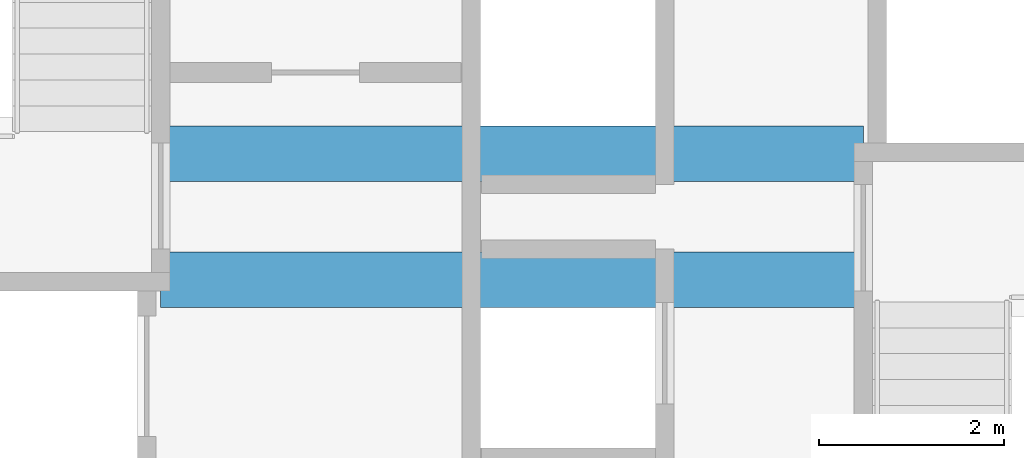
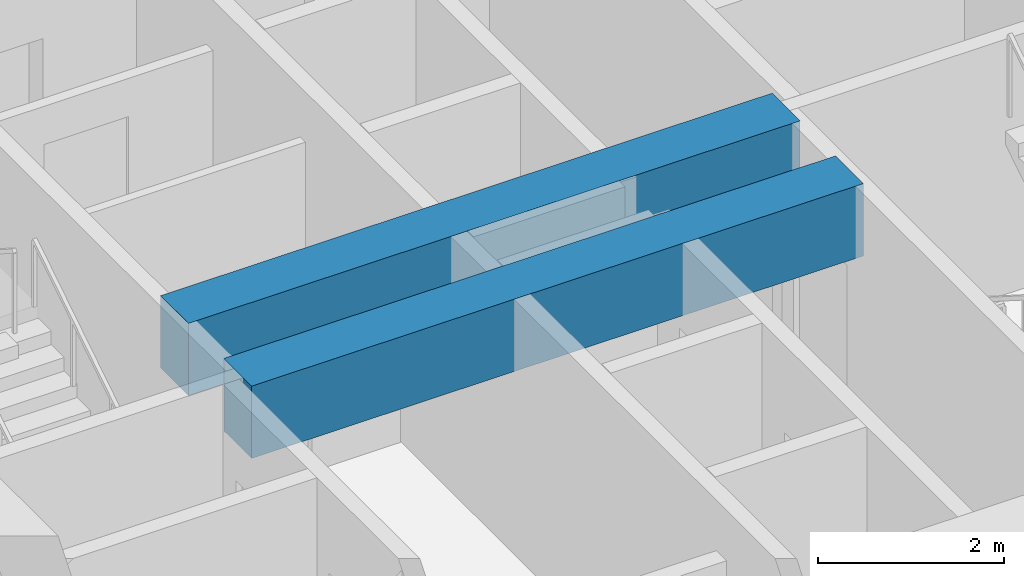
# One storey, part 8 of 48: 2 beams.
"""IFC4 building model written with IfcOpenShell, lengths in metres."""

from ifc_helpers import new_model, si_unit, direction, frame, origin, origin_2d, place, context, subcontext, project, spatial, rectangle, extrude, material, material_profile, profile_set, type_object, element, save


model = new_model("IFC4")

# Units and contexts
model_context = context("Model", 3, precision=1e-05, world=origin(), true_north=direction((0.0, 1.0)))
body_context = subcontext(model_context, "Body", "Model", "MODEL_VIEW")
ifc_project = project(units=[si_unit("LENGTHUNIT", "METRE"), si_unit("AREAUNIT", "SQUARE_METRE"), si_unit("VOLUMEUNIT", "CUBIC_METRE"), si_unit("PLANEANGLEUNIT", "RADIAN"), si_unit("MASSUNIT", "GRAM", prefix="KILO")], contexts=[model_context])

# Site, building, storey
site_placement = place(None, origin())
site = spatial("IfcSite", under=ifc_project, at=site_placement, CompositionType="ELEMENT")
building_placement = place(site_placement, origin())
building = spatial("IfcBuilding", under=site, at=building_placement, Name="Tashvorn Skyway Center", CompositionType="ELEMENT")
storey_placement = place(building_placement, frame((0.0, 0.0, 56.550048828125)))
storey = spatial("IfcBuildingStorey", under=building, at=storey_placement, Name="L14", CompositionType="ELEMENT", Elevation=56.550048828125)

# Beams
ifc_material = material(Name="Concrete C60/75", Category="concrete")
ifc_material_profile = material_profile(ifc_material, rectangle(XDim=0.60009765625, YDim=0.949951171875, at=origin_2d()), Name="RCB600x950")
ifc_profile_set = profile_set([ifc_material_profile], Name="Concrete C60/75")
beam_type = type_object("IfcBeamType", Name="BM-LINTEL-RCB600x950", PredefinedType="LINTEL", material=ifc_profile_set)
for number, where, z_axis, x_axis, name in (
    (1, (38.199951171875, 32.679931640625, 2.875), (1.0, 0.0, 0.0), (0.0, 1.0, 0.0), "Tower 1 L14 Core Coupling Beam CN"),
    (2, (38.199951171875, 31.320068359375, 2.875), (1.0, 0.0, 0.0), (0.0, 1.0, 0.0), "Tower 1 L14 Core Coupling Beam CS"),
):
    element("IfcBeam", number, at=place(storey_placement, frame(where, z_axis=z_axis, x_axis=x_axis)), inside=storey, type_object=beam_type, Name=name, PredefinedType="LINTEL", context=body_context, shape_type="SweptSolid", body=[
        extrude(rectangle(XDim=0.60009765625, YDim=0.949951171875, at=origin_2d()), origin(), (0.0, 0.0, 1.0), 7.60009765625),
    ])

save(model, "model.ifc")
